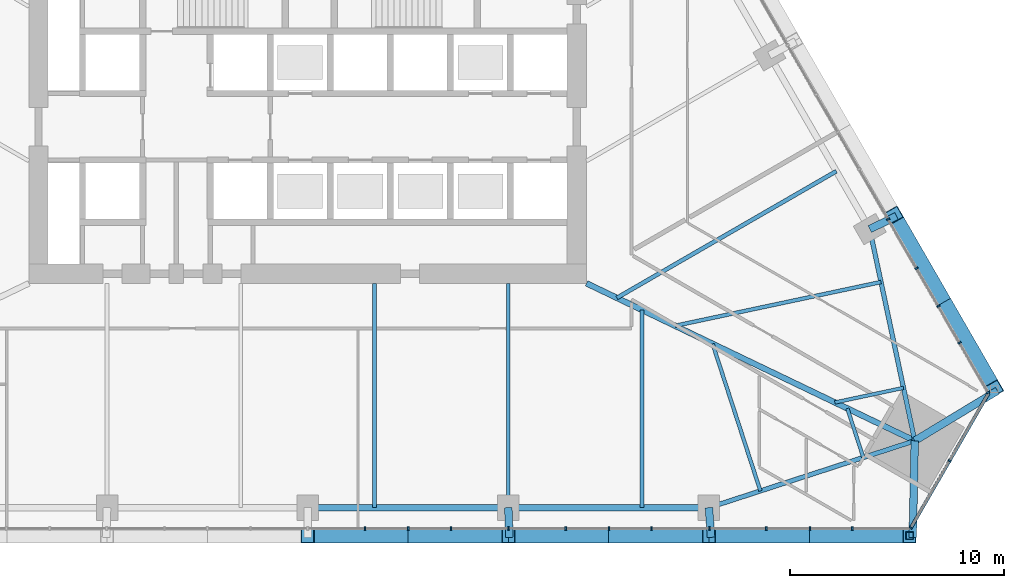
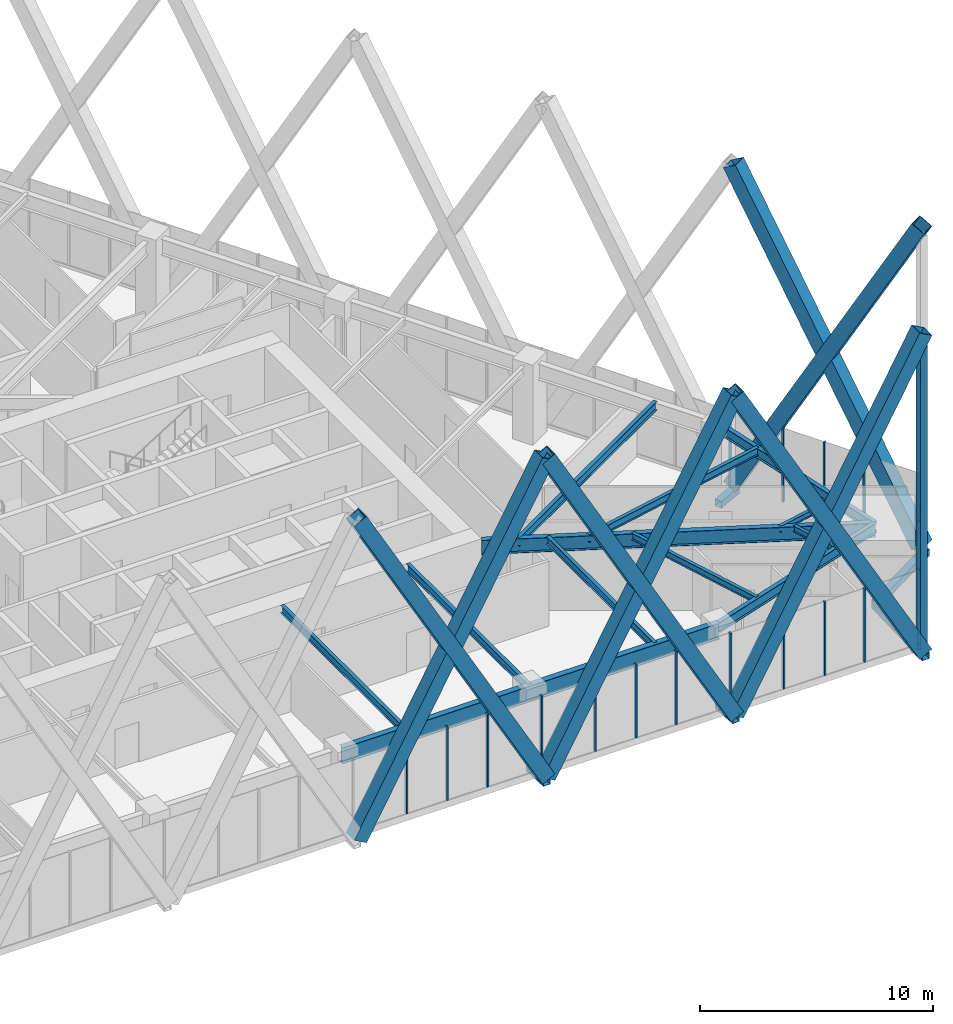
# One storey, part 7 of 21: 33 members, 12 beams, 3 elements without a shape of their own.
"""IFC4 building model written with IfcOpenShell, lengths in metres."""

from ifc_helpers import new_model, si_unit, direction, frame, origin, origin_2d, place, context, subcontext, project, spatial, rectangle, hollow_rectangle, i_section, extrude, material, layer, layer_set, material_profile, profile_set, type_object, element, aggregate, save


model = new_model("IFC4")

# Units and contexts
model_context = context("Model", 3, precision=1e-05, world=origin(), true_north=direction((0.0, 1.0)))
body_context = subcontext(model_context, "Body", "Model", "MODEL_VIEW")
ifc_project = project(units=[si_unit("LENGTHUNIT", "METRE"), si_unit("AREAUNIT", "SQUARE_METRE"), si_unit("VOLUMEUNIT", "CUBIC_METRE"), si_unit("PLANEANGLEUNIT", "RADIAN"), si_unit("MASSUNIT", "GRAM", prefix="KILO")], contexts=[model_context])

# Site, building, storey
site_placement = place(None, origin())
site = spatial("IfcSite", under=ifc_project, at=site_placement, CompositionType="ELEMENT")
building_placement = place(site_placement, origin())
building = spatial("IfcBuilding", under=site, at=building_placement, Name="Firuza Gate Tower and Library", CompositionType="ELEMENT")
storey_placement = place(building_placement, frame((0.0, 0.0, 107.199951171875)))
storey = spatial("IfcBuildingStorey", under=building, at=storey_placement, Name="L24", CompositionType="ELEMENT", Elevation=107.199951171875)

# Members
ifc_material_1 = material(Name="Steel S355", Category="steel")
ifc_material_profile_1 = material_profile(ifc_material_1, hollow_rectangle(XDim=0.699951171875, YDim=0.699951171875, WallThickness=0.030029296875, at=origin_2d()))
ifc_profile_set_1 = profile_set([ifc_material_profile_1], Name="Steel S355")
member_type_1 = type_object("IfcMemberType", Name="BU700x700x30 Lattice brace", PredefinedType="BRACE", material=ifc_profile_set_1)
for number, where, z_axis, x_axis, name in (
    (1, (75.0, 54.2412109375, 0.0), (0.486472786764, 0.0, 0.873695729495), (0.0, 1.0, 0.0), "Lattice brace S 5.4R"),
    (2, (84.354248046875, 54.2412109375, 0.0), (-0.486472786764, 0.0, 0.873695729495), (0.0, -1.0, 0.0), "Lattice brace S 5.4L"),
    (3, (84.354248046875, 54.2412109375, 0.0), (0.486472786764, 0.0, 0.873695729495), (0.0, 1.0, 0.0), "Lattice brace S 5.5R"),
    (4, (93.70849609375, 54.2412109375, 0.0), (-0.486472786764, 0.0, 0.873695729495), (0.0, -1.0, 0.0), "Lattice brace S 5.5L"),
    (5, (93.70849609375, 54.2412109375, 0.0), (0.486472786764, 0.0, 0.873695729495), (0.0, 1.0, 0.0), "Lattice brace S 5.6R"),
    (6, (103.062744140625, 54.2412109375, 0.0), (-0.486472786764, 0.0, 0.873695729495), (0.0, -1.0, 0.0), "Lattice brace S 5.6L"),
    (7, (107.009033203125, 61.076416015625, 0.0), (-0.243230112725, 0.421300913528, 0.873695972593), (-0.866032598532, -0.499987538125, 0.0), "Lattice brace E 5.1R"),
    (8, (102.33203125, 69.177490234375, 0.0), (0.243230112725, -0.421300913528, 0.873695972593), (0.866032598532, 0.499987538125, 0.0), "Lattice brace E 5.1L"),
):
    element("IfcMember", number, at=place(storey_placement, frame(where, z_axis=z_axis, x_axis=x_axis)), inside=storey, type_object=member_type_1, Name=name, PredefinedType="BRACE", context=body_context, shape_type="SweptSolid", body=[
        extrude(hollow_rectangle(XDim=0.699951171875, YDim=0.699951171875, WallThickness=0.030029296875, at=origin_2d()), origin(), (0.0, 0.0, 1.0), 19.228759765625),
    ])

# Curtain wall, members
ifc_material_2 = material(Name="Aluminium 6063-T6", Category="aluminium")
ifc_layer_1 = layer(ifc_material_2, 0.14990234375)
ifc_layer_set_1 = layer_set([ifc_layer_1], Name="Unitised curtain wall, offices")
curtain_wall_type_1 = type_object("IfcCurtainWallType", Name="Unitised curtain wall, offices", PredefinedType="NOTDEFINED", material=ifc_layer_set_1)
placement = place(storey_placement, origin())
curtain_wall_1 = element("IfcCurtainWall", 9, at=placement, inside=storey, type_object=curtain_wall_type_1, Name="CW1 L24 S face", PredefinedType="NOTDEFINED")
ifc_material_3 = material(Name="Aluminium 6063-T6", Category="aluminium")
ifc_material_profile_2 = material_profile(ifc_material_3, rectangle(XDim=0.14990234375, YDim=0.080078125, at=origin_2d()))
ifc_profile_set_2 = profile_set([ifc_material_profile_2], Name="Aluminium 6063-T6")
member_type_2 = type_object("IfcMemberType", Name="Curtain wall mullion 80x150", PredefinedType="MULLION", material=ifc_profile_set_2)
member_1_placement = place(storey_placement, frame((79.684326171875, 54.566162109375, 0.150146484375), z_axis=(0.0, 0.0, 1.0), x_axis=(0.0, 1.0, 0.0)))
member_1 = element("IfcMember", 10, at=member_1_placement, type_object=member_type_2, Name="Mullion", PredefinedType="MULLION", context=body_context, shape_type="SweptSolid", body=[
    extrude(rectangle(XDim=0.14990234375, YDim=0.080078125, at=origin_2d()), origin(), (0.0, 0.0, 1.0), 3.849853515625),
])
member_2_placement = place(storey_placement, frame((84.36865234375, 54.566162109375, 0.150146484375), z_axis=(0.0, 0.0, 1.0), x_axis=(0.0, 1.0, 0.0)))
member_2 = element("IfcMember", 11, at=member_2_placement, type_object=member_type_2, Name="Mullion", PredefinedType="MULLION", context=body_context, shape_type="SweptSolid", body=[
    extrude(rectangle(XDim=0.14990234375, YDim=0.080078125, at=origin_2d()), origin(), (0.0, 0.0, 1.0), 3.849853515625),
])
member_3_placement = place(storey_placement, frame((89.052978515625, 54.566162109375, 0.150146484375), z_axis=(0.0, 0.0, 1.0), x_axis=(0.0, 1.0, 0.0)))
member_3 = element("IfcMember", 12, at=member_3_placement, type_object=member_type_2, Name="Mullion", PredefinedType="MULLION", context=body_context, shape_type="SweptSolid", body=[
    extrude(rectangle(XDim=0.14990234375, YDim=0.080078125, at=origin_2d()), origin(), (0.0, 0.0, 1.0), 3.849853515625),
])
member_4_placement = place(storey_placement, frame((93.7373046875, 54.566162109375, 0.150146484375), z_axis=(0.0, 0.0, 1.0), x_axis=(0.0, 1.0, 0.0)))
member_4 = element("IfcMember", 13, at=member_4_placement, type_object=member_type_2, Name="Mullion", PredefinedType="MULLION", context=body_context, shape_type="SweptSolid", body=[
    extrude(rectangle(XDim=0.14990234375, YDim=0.080078125, at=origin_2d()), origin(), (0.0, 0.0, 1.0), 3.849853515625),
])
member_5_placement = place(storey_placement, frame((98.421630859375, 54.566162109375, 0.150146484375), z_axis=(0.0, 0.0, 1.0), x_axis=(0.0, 1.0, 0.0)))
member_5 = element("IfcMember", 14, at=member_5_placement, type_object=member_type_2, Name="Mullion", PredefinedType="MULLION", context=body_context, shape_type="SweptSolid", body=[
    extrude(rectangle(XDim=0.14990234375, YDim=0.080078125, at=origin_2d()), origin(), (0.0, 0.0, 1.0), 3.849853515625),
])
member_6_placement = place(storey_placement, frame((77.6728515625, 54.566162109375, 0.150146484375), z_axis=(0.0, 0.0, 1.0), x_axis=(0.0, 1.0, 0.0)))
member_6 = element("IfcMember", 15, at=member_6_placement, type_object=member_type_2, Name="Mullion", PredefinedType="MULLION", context=body_context, shape_type="SweptSolid", body=[
    extrude(rectangle(XDim=0.14990234375, YDim=0.080078125, at=origin_2d()), origin(), (0.0, 0.0, 1.0), 3.849853515625),
])
member_7_placement = place(storey_placement, frame((81.681396484375, 54.566162109375, 0.150146484375), z_axis=(0.0, 0.0, 1.0), x_axis=(0.0, 1.0, 0.0)))
member_7 = element("IfcMember", 16, at=member_7_placement, type_object=member_type_2, Name="Mullion", PredefinedType="MULLION", context=body_context, shape_type="SweptSolid", body=[
    extrude(rectangle(XDim=0.14990234375, YDim=0.080078125, at=origin_2d()), origin(), (0.0, 0.0, 1.0), 3.849853515625),
])
member_8_placement = place(storey_placement, frame((87.027099609375, 54.566162109375, 0.150146484375), z_axis=(0.0, 0.0, 1.0), x_axis=(0.0, 1.0, 0.0)))
member_8 = element("IfcMember", 17, at=member_8_placement, type_object=member_type_2, Name="Mullion", PredefinedType="MULLION", context=body_context, shape_type="SweptSolid", body=[
    extrude(rectangle(XDim=0.14990234375, YDim=0.080078125, at=origin_2d()), origin(), (0.0, 0.0, 1.0), 3.849853515625),
])
member_9_placement = place(storey_placement, frame((91.03564453125, 54.566162109375, 0.150146484375), z_axis=(0.0, 0.0, 1.0), x_axis=(0.0, 1.0, 0.0)))
member_9 = element("IfcMember", 18, at=member_9_placement, type_object=member_type_2, Name="Mullion", PredefinedType="MULLION", context=body_context, shape_type="SweptSolid", body=[
    extrude(rectangle(XDim=0.14990234375, YDim=0.080078125, at=origin_2d()), origin(), (0.0, 0.0, 1.0), 3.849853515625),
])
member_10_placement = place(storey_placement, frame((96.381103515625, 54.566162109375, 0.150146484375), z_axis=(0.0, 0.0, 1.0), x_axis=(0.0, 1.0, 0.0)))
member_10 = element("IfcMember", 19, at=member_10_placement, type_object=member_type_2, Name="Mullion", PredefinedType="MULLION", context=body_context, shape_type="SweptSolid", body=[
    extrude(rectangle(XDim=0.14990234375, YDim=0.080078125, at=origin_2d()), origin(), (0.0, 0.0, 1.0), 3.849853515625),
])
member_11_placement = place(storey_placement, frame((100.389892578125, 54.566162109375, 0.150146484375), z_axis=(0.0, 0.0, 1.0), x_axis=(0.0, 1.0, 0.0)))
member_11 = element("IfcMember", 20, at=member_11_placement, type_object=member_type_2, Name="Mullion", PredefinedType="MULLION", context=body_context, shape_type="SweptSolid", body=[
    extrude(rectangle(XDim=0.14990234375, YDim=0.080078125, at=origin_2d()), origin(), (0.0, 0.0, 1.0), 3.849853515625),
])
aggregate(curtain_wall_1, [member_1, member_2, member_3, member_4, member_5, member_6, member_7, member_8, member_9, member_10, member_11])

ifc_material_4 = material(Name="Aluminium 6063-T6", Category="aluminium")
ifc_layer_2 = layer(ifc_material_4, 0.14990234375)
ifc_layer_set_2 = layer_set([ifc_layer_2], Name="Corner curtain wall, chamfers")
curtain_wall_type_2 = type_object("IfcCurtainWallType", Name="Corner curtain wall, chamfers", PredefinedType="NOTDEFINED", material=ifc_layer_set_2)
curtain_wall_2 = element("IfcCurtainWall", 21, at=placement, inside=storey, type_object=curtain_wall_type_2, Name="CW4 L24 SE corner", PredefinedType="NOTDEFINED")
member_12_placement = place(storey_placement, frame((103.1259765625, 54.600830078125, 0.150146484375), z_axis=(0.0, 0.0, 1.0), x_axis=(-0.866025403784, 0.5, 0.0)))
member_12 = element("IfcMember", 22, at=member_12_placement, type_object=member_type_2, Name="Mullion", PredefinedType="MULLION", context=body_context, shape_type="SweptSolid", body=[
    extrude(rectangle(XDim=0.14990234375, YDim=0.080078125, at=origin_2d()), origin(), (0.0, 0.0, 1.0), 3.849853515625),
])
member_13_placement = place(storey_placement, frame((104.927490234375, 57.72119140625, 0.150146484375), z_axis=(0.0, 0.0, 1.0), x_axis=(-0.866025403784, 0.5, 0.0)))
member_13 = element("IfcMember", 23, at=member_13_placement, type_object=member_type_2, Name="Mullion", PredefinedType="MULLION", context=body_context, shape_type="SweptSolid", body=[
    extrude(rectangle(XDim=0.14990234375, YDim=0.080078125, at=origin_2d()), origin(), (0.0, 0.0, 1.0), 3.849853515625),
])

curtain_wall_3 = element("IfcCurtainWall", 24, at=placement, inside=storey, type_object=curtain_wall_type_1, Name="CW1 L24 E face", PredefinedType="NOTDEFINED")
member_14_placement = place(storey_placement, frame((106.729248046875, 60.9111328125, 0.150146484375), z_axis=(0.0, 0.0, 1.0), x_axis=(-0.866025403784, -0.5, 0.0)))
member_14 = element("IfcMember", 25, at=member_14_placement, type_object=member_type_2, Name="Mullion", PredefinedType="MULLION", context=body_context, shape_type="SweptSolid", body=[
    extrude(rectangle(XDim=0.14990234375, YDim=0.080078125, at=origin_2d()), origin(), (0.0, 0.0, 1.0), 3.849853515625),
])
member_15_placement = place(storey_placement, frame((104.406982421875, 64.933349609375, 0.150146484375), z_axis=(0.0, 0.0, 1.0), x_axis=(-0.866025403784, -0.5, 0.0)))
member_15 = element("IfcMember", 26, at=member_15_placement, type_object=member_type_2, Name="Mullion", PredefinedType="MULLION", context=body_context, shape_type="SweptSolid", body=[
    extrude(rectangle(XDim=0.14990234375, YDim=0.080078125, at=origin_2d()), origin(), (0.0, 0.0, 1.0), 3.849853515625),
])
member_16_placement = place(storey_placement, frame((102.06494140625, 68.989990234375, 0.150146484375), z_axis=(0.0, 0.0, 1.0), x_axis=(-0.866025403784, -0.5, 0.0)))
member_16 = element("IfcMember", 27, at=member_16_placement, type_object=member_type_2, Name="Mullion", PredefinedType="MULLION", context=body_context, shape_type="SweptSolid", body=[
    extrude(rectangle(XDim=0.14990234375, YDim=0.080078125, at=origin_2d()), origin(), (0.0, 0.0, 1.0), 3.849853515625),
])
member_17_placement = place(storey_placement, frame((105.39111328125, 63.228759765625, 0.150146484375), z_axis=(0.0, 0.0, 1.0), x_axis=(-0.866025403784, -0.5, 0.0)))
member_17 = element("IfcMember", 28, at=member_17_placement, type_object=member_type_2, Name="Mullion", PredefinedType="MULLION", context=body_context, shape_type="SweptSolid", body=[
    extrude(rectangle(XDim=0.14990234375, YDim=0.080078125, at=origin_2d()), origin(), (0.0, 0.0, 1.0), 3.849853515625),
])
member_18_placement = place(storey_placement, frame((103.386962890625, 66.7001953125, 0.150146484375), z_axis=(0.0, 0.0, 1.0), x_axis=(-0.866025403784, -0.5, 0.0)))
member_18 = element("IfcMember", 29, at=member_18_placement, type_object=member_type_2, Name="Mullion", PredefinedType="MULLION", context=body_context, shape_type="SweptSolid", body=[
    extrude(rectangle(XDim=0.14990234375, YDim=0.080078125, at=origin_2d()), origin(), (0.0, 0.0, 1.0), 3.849853515625),
])
aggregate(curtain_wall_3, [member_14, member_15, member_16, member_17, member_18])

# Member
ifc_material_5 = material(Name="Aluminium 6063-T6", Category="aluminium")
ifc_material_profile_3 = material_profile(ifc_material_5, rectangle(XDim=0.14990234375, YDim=0.35009765625, at=origin_2d()))
ifc_profile_set_3 = profile_set([ifc_material_profile_3], Name="Aluminium 6063-T6")
member_type_3 = type_object("IfcMemberType", Name="Curtain wall transom 350x150", PredefinedType="USERDEFINED", material=ifc_profile_set_3)
member_19_placement = place(storey_placement, frame((103.10595703125, 54.566162109375, -0.02490234375), z_axis=(0.500005719219, 0.866022101766, 0.0), x_axis=(-0.866022101766, 0.500005719219, 0.0)))
member_19 = element("IfcMember", 30, at=member_19_placement, type_object=member_type_3, Name="Transom", ObjectType="TRANSOM", PredefinedType="USERDEFINED", context=body_context, shape_type="SweptSolid", body=[
    extrude(rectangle(XDim=0.14990234375, YDim=0.35009765625, at=origin_2d()), origin(), (0.0, 0.0, 1.0), 7.28662109375),
])

aggregate(curtain_wall_2, [member_12, member_13, member_19])

# Members
ifc_material_6 = material(Name="Steel S355", Category="steel")
ifc_material_profile_4 = material_profile(ifc_material_6, hollow_rectangle(XDim=0.355712890625, YDim=0.355712890625, WallThickness=0.014892578125, at=origin_2d()))
ifc_profile_set_4 = profile_set([ifc_material_profile_4], Name="Steel S355")
member_type_4 = type_object("IfcMemberType", Name="HSS356x356x16 Lattice corner stile", PredefinedType="BRACE", material=ifc_profile_set_4)
member_20_placement = place(storey_placement, frame((103.062744140625, 54.2412109375, -0.139892578125), z_axis=(0.0, 0.0, 1.0), x_axis=(1.0, 0.0, 0.0)))
element("IfcMember", 31, at=member_20_placement, inside=storey, type_object=member_type_4, Name="Lattice corner stile S 5.B", PredefinedType="BRACE", context=body_context, shape_type="SweptSolid", body=[
    extrude(hollow_rectangle(XDim=0.355712890625, YDim=0.355712890625, WallThickness=0.014892578125, at=origin_2d()), origin(), (0.0, 0.0, 1.0), 16.43994140625),
])
ifc_material_7 = material(Name="Steel S355", Category="steel")
ifc_material_profile_5 = material_profile(ifc_material_7, hollow_rectangle(XDim=0.355712890625, YDim=0.355712890625, WallThickness=0.014892578125, at=origin_2d()))
ifc_profile_set_5 = profile_set([ifc_material_profile_5], Name="Steel S355")
member_type_5 = type_object("IfcMemberType", Name="HSS356x356x16 Lattice node tie", PredefinedType="BRACE", material=ifc_profile_set_5)
member_21_placement = place(storey_placement, frame((101.2060546875, 68.527587890625, -0.320068359375), z_axis=(0.899261255938, 0.437411926642, 0.0), x_axis=(-0.437411926642, 0.899261255938, 0.0)))
element("IfcMember", 32, at=member_21_placement, inside=storey, type_object=member_type_5, Name="Lattice node tie E L24 90", PredefinedType="BRACE", context=body_context, shape_type="SweptSolid", body=[
    extrude(hollow_rectangle(XDim=0.355712890625, YDim=0.355712890625, WallThickness=0.014892578125, at=origin_2d()), origin(), (0.0, 0.0, 1.0), 1.388671875),
])
member_22_placement = place(storey_placement, frame((103.3037109375, 58.65869140625, -0.320068359375), z_axis=(0.855419817964, 0.517935261431, 0.0), x_axis=(-0.517935261431, 0.855419817964, 0.0)))
element("IfcMember", 33, at=member_22_placement, inside=storey, type_object=member_type_5, Name="Lattice node tie E L24 91", PredefinedType="BRACE", context=body_context, shape_type="SweptSolid", body=[
    extrude(hollow_rectangle(XDim=0.355712890625, YDim=0.355712890625, WallThickness=0.014892578125, at=origin_2d()), origin(), (0.0, 0.0, 1.0), 4.50390625),
])
member_23_placement = place(storey_placement, frame((84.354248046875, 55.541015625, -0.320068359375), z_axis=(0.035408770577, -0.999372912864, 0.0), x_axis=(0.999372912864, 0.035408770577, 0.0)))
element("IfcMember", 34, at=member_23_placement, inside=storey, type_object=member_type_5, Name="Lattice node tie S L24 96", PredefinedType="BRACE", context=body_context, shape_type="SweptSolid", body=[
    extrude(hollow_rectangle(XDim=0.355712890625, YDim=0.355712890625, WallThickness=0.014892578125, at=origin_2d()), origin(), (0.0, 0.0, 1.0), 1.385986328125),
])
member_24_placement = place(storey_placement, frame((93.70849609375, 55.541015625, -0.320068359375), z_axis=(0.070684731161, -0.997498706155, 0.0), x_axis=(0.997498706155, 0.070684731161, 0.0)))
element("IfcMember", 35, at=member_24_placement, inside=storey, type_object=member_type_5, Name="Lattice node tie S L24 97", PredefinedType="BRACE", context=body_context, shape_type="SweptSolid", body=[
    extrude(hollow_rectangle(XDim=0.355712890625, YDim=0.355712890625, WallThickness=0.014892578125, at=origin_2d()), origin(), (0.0, 0.0, 1.0), 1.388427734375),
])
member_25_placement = place(storey_placement, frame((103.3037109375, 58.65869140625, -0.320068359375), z_axis=(-0.020762210124, -0.999784442083, 0.0), x_axis=(0.999784442083, -0.020762210124, 0.0)))
element("IfcMember", 36, at=member_25_placement, inside=storey, type_object=member_type_5, Name="Lattice node tie S L24 98", PredefinedType="BRACE", context=body_context, shape_type="SweptSolid", body=[
    extrude(hollow_rectangle(XDim=0.355712890625, YDim=0.355712890625, WallThickness=0.014892578125, at=origin_2d()), origin(), (0.0, 0.0, 1.0), 4.503662109375),
])

# Beams
ifc_material_8 = material(Name="Steel S355", Category="steel")
ifc_material_profile_6 = material_profile(ifc_material_8, i_section(OverallWidth=0.1650390625, OverallDepth=0.31005859375, WebThickness=0.005859375, FlangeThickness=0.009765625, at=origin_2d()))
ifc_profile_set_6 = profile_set([ifc_material_profile_6], Name="Steel S355")
beam_type_1 = type_object("IfcBeamType", Name="W310x39 Floor beam", PredefinedType="JOIST", material=ifc_profile_set_6)
beam_1_placement = place(storey_placement, frame((100.905029296875, 57.87939453125, 3.844970703125), z_axis=(-0.308998819995, 0.951062421317, 0.0), x_axis=(-0.951062421317, -0.308998819995, 0.0)))
element("IfcBeam", 37, at=beam_1_placement, inside=storey, type_object=beam_type_1, Name="Floor beam L24 s31", PredefinedType="JOIST", context=body_context, shape_type="SweptSolid", body=[
    extrude(i_section(OverallWidth=0.1650390625, OverallDepth=0.31005859375, WebThickness=0.005859375, FlangeThickness=0.009765625, at=origin_2d()), origin(), (0.0, 0.0, 1.0), 2.404296875),
])
beam_2_placement = place(storey_placement, frame((102.779296875, 61.1259765625, 3.844970703125), z_axis=(-0.97813855531, -0.207954241639, 0.0), x_axis=(0.207954241639, -0.97813855531, 0.0)))
element("IfcBeam", 38, at=beam_2_placement, inside=storey, type_object=beam_type_1, Name="Floor beam L24 s40", PredefinedType="JOIST", context=body_context, shape_type="SweptSolid", body=[
    extrude(i_section(OverallWidth=0.1650390625, OverallDepth=0.31005859375, WebThickness=0.005859375, FlangeThickness=0.009765625, at=origin_2d()), origin(), (0.0, 0.0, 1.0), 3.27197265625),
])
ifc_material_9 = material(Name="Steel S355", Category="steel")
ifc_material_profile_7 = material_profile(ifc_material_9, i_section(OverallWidth=0.1708984375, OverallDepth=0.35498046875, WebThickness=0.007080078125, FlangeThickness=0.01171875, at=origin_2d()))
ifc_profile_set_7 = profile_set([ifc_material_profile_7], Name="Steel S355")
beam_type_2 = type_object("IfcBeamType", Name="W360x51 Floor beam", PredefinedType="JOIST", material=ifc_profile_set_7)
beam_3_placement = place(storey_placement, frame((96.107177734375, 56.320556640625, 3.822509765625), z_axis=(-0.309008767466, 0.951059189341, 0.0), x_axis=(-0.951059189341, -0.309008767466, 0.0)))
element("IfcBeam", 39, at=beam_3_placement, inside=storey, type_object=beam_type_2, Name="Floor beam L24 s30", PredefinedType="JOIST", context=body_context, shape_type="SweptSolid", body=[
    extrude(i_section(OverallWidth=0.1708984375, OverallDepth=0.35498046875, WebThickness=0.007080078125, FlangeThickness=0.01171875, at=origin_2d()), origin(), (0.0, 0.0, 1.0), 7.212646484375),
])
ifc_material_10 = material(Name="Steel S355", Category="steel")
ifc_material_profile_8 = material_profile(ifc_material_10, i_section(OverallWidth=0.177978515625, OverallDepth=0.406982421875, WebThickness=0.0078125, FlangeThickness=0.0126953125, at=origin_2d()))
ifc_profile_set_8 = profile_set([ifc_material_profile_8], Name="Steel S355")
beam_type_3 = type_object("IfcBeamType", Name="W410x60 Floor beam", PredefinedType="JOIST", material=ifc_profile_set_8)
for number, where, z_axis, x_axis, name in (
    (40, (78.1181640625, 55.541015625, 3.796630859375), (0.0, 1.0, 0.0), (-1.0, 0.0, 0.0), "Floor beam L24 s23"),
    (41, (84.354248046875, 55.541015625, 3.796630859375), (0.0, 1.0, 0.0), (-1.0, 0.0, 0.0), "Floor beam L24 s24"),
):
    element("IfcBeam", number, at=place(storey_placement, frame(where, z_axis=z_axis, x_axis=x_axis)), inside=storey, type_object=beam_type_3, Name=name, PredefinedType="JOIST", context=body_context, shape_type="SweptSolid", body=[
        extrude(i_section(OverallWidth=0.177978515625, OverallDepth=0.406982421875, WebThickness=0.0078125, FlangeThickness=0.0126953125, at=origin_2d()), origin(), (0.0, 0.0, 1.0), 10.458984375),
    ])
beam_4_placement = place(storey_placement, frame((90.59033203125, 55.541015625, 3.796630859375), z_axis=(0.0, 1.0, 0.0), x_axis=(-1.0, 0.0, 0.0)))
element("IfcBeam", 42, at=beam_4_placement, inside=storey, type_object=beam_type_3, Name="Floor beam L24 s25", PredefinedType="JOIST", context=body_context, shape_type="SweptSolid", body=[
    extrude(i_section(OverallWidth=0.177978515625, OverallDepth=0.406982421875, WebThickness=0.0078125, FlangeThickness=0.0126953125, at=origin_2d()), origin(), (0.0, 0.0, 1.0), 9.21630859375),
])
beam_5_placement = place(storey_placement, frame((101.73046875, 66.060302734375, 3.796630859375), z_axis=(-0.978144689505, -0.207925386601, 0.0), x_axis=(0.207925386601, -0.978144689505, 0.0)))
element("IfcBeam", 43, at=beam_5_placement, inside=storey, type_object=beam_type_3, Name="Floor beam L24 s41", PredefinedType="JOIST", context=body_context, shape_type="SweptSolid", body=[
    extrude(i_section(OverallWidth=0.177978515625, OverallDepth=0.406982421875, WebThickness=0.0078125, FlangeThickness=0.0126953125, at=origin_2d()), origin(), (0.0, 0.0, 1.0), 9.816162109375),
])
ifc_material_11 = material(Name="Steel S355", Category="steel")
ifc_material_profile_9 = material_profile(ifc_material_11, i_section(OverallWidth=0.18994140625, OverallDepth=0.45703125, WebThickness=0.009033203125, FlangeThickness=0.014404296875, at=origin_2d()))
ifc_profile_set_9 = profile_set([ifc_material_profile_9], Name="Steel S355")
beam_type_4 = type_object("IfcBeamType", Name="W460x74 Floor beam", PredefinedType="JOIST", material=ifc_profile_set_9)
beam_6_placement = place(storey_placement, frame((99.64697265625, 71.227783203125, 3.771484375), z_axis=(-0.866025562448, -0.499999725187, 0.0), x_axis=(0.499999725187, -0.866025562448, 0.0)))
element("IfcBeam", 44, at=beam_6_placement, inside=storey, type_object=beam_type_4, Name="Floor beam L24 s50", PredefinedType="JOIST", context=body_context, shape_type="SweptSolid", body=[
    extrude(i_section(OverallWidth=0.18994140625, OverallDepth=0.45703125, WebThickness=0.009033203125, FlangeThickness=0.014404296875, at=origin_2d()), origin(), (0.0, 0.0, 1.0), 11.81396484375),
])
ifc_material_12 = material(Name="Steel S355", Category="steel")
ifc_material_profile_10 = material_profile(ifc_material_12, i_section(OverallWidth=0.212890625, OverallDepth=0.5390625, WebThickness=0.01171875, FlangeThickness=0.018798828125, at=origin_2d()))
ifc_profile_set_10 = profile_set([ifc_material_profile_10], Name="Steel S355")
beam_type_5 = type_object("IfcBeamType", Name="W530x109 Edge beam", PredefinedType="SPANDREL", material=ifc_profile_set_10)
beam_7_placement = place(storey_placement, frame((93.70849609375, 55.541015625, 3.73046875), z_axis=(0.951056472923, 0.309017127862, 0.0), x_axis=(-0.309017127862, 0.951056472923, 0.0)))
element("IfcBeam", 45, at=beam_7_placement, inside=storey, type_object=beam_type_5, Name="Edge beam L24 e30", PredefinedType="SPANDREL", context=body_context, shape_type="SweptSolid", body=[
    extrude(i_section(OverallWidth=0.212890625, OverallDepth=0.5390625, WebThickness=0.01171875, FlangeThickness=0.018798828125, at=origin_2d()), origin(), (0.0, 0.0, 1.0), 10.089111328125),
])
beam_8_placement = place(storey_placement, frame((103.3037109375, 58.65869140625, 3.73046875), z_axis=(-0.207907664892, 0.978148456462, 0.0), x_axis=(-0.978148456462, -0.207907664892, 0.0)))
element("IfcBeam", 46, at=beam_8_placement, inside=storey, type_object=beam_type_5, Name="Edge beam L24 e40", PredefinedType="SPANDREL", context=body_context, shape_type="SweptSolid", body=[
    extrude(i_section(OverallWidth=0.212890625, OverallDepth=0.5390625, WebThickness=0.01171875, FlangeThickness=0.018798828125, at=origin_2d()), origin(), (0.0, 0.0, 1.0), 10.08935546875),
])
ifc_material_13 = material(Name="Steel S355", Category="steel")
ifc_material_profile_11 = material_profile(ifc_material_13, i_section(OverallWidth=0.264892578125, OverallDepth=0.7529296875, WebThickness=0.01318359375, FlangeThickness=0.01708984375, at=origin_2d()))
ifc_profile_set_11 = profile_set([ifc_material_profile_11], Name="Steel S355")
beam_type_6 = type_object("IfcBeamType", Name="W760x147 Girder", PredefinedType="BEAM", material=ifc_profile_set_11)
beam_9_placement = place(storey_placement, frame((103.3037109375, 58.65869140625, 3.62353515625), z_axis=(-0.901625831299, 0.43251689023, 0.0), x_axis=(-0.43251689023, -0.901625831299, 0.0)))
element("IfcBeam", 47, at=beam_9_placement, inside=storey, type_object=beam_type_6, Name="Girder L24 gSE", PredefinedType="BEAM", context=body_context, shape_type="SweptSolid", body=[
    extrude(i_section(OverallWidth=0.264892578125, OverallDepth=0.7529296875, WebThickness=0.01318359375, FlangeThickness=0.01708984375, at=origin_2d()), origin(), (0.0, 0.0, 1.0), 16.973388671875),
])
ifc_material_14 = material(Name="Steel S355", Category="steel")
ifc_material_profile_12 = material_profile(ifc_material_14, i_section(OverallWidth=0.2919921875, OverallDepth=0.8349609375, WebThickness=0.013916015625, FlangeThickness=0.018798828125, at=origin_2d()))
ifc_profile_set_12 = profile_set([ifc_material_profile_12], Name="Steel S355")
beam_type_7 = type_object("IfcBeamType", Name="W840x176 Edge beam", PredefinedType="SPANDREL", material=ifc_profile_set_12)
beam_10_placement = place(storey_placement, frame((75.0, 55.541015625, 3.58251953125), z_axis=(1.0, 0.0, 0.0), x_axis=(0.0, 1.0, 0.0)))
element("IfcBeam", 48, at=beam_10_placement, inside=storey, type_object=beam_type_7, Name="Edge beam L24 e22", PredefinedType="SPANDREL", context=body_context, shape_type="SweptSolid", body=[
    extrude(i_section(OverallWidth=0.2919921875, OverallDepth=0.8349609375, WebThickness=0.013916015625, FlangeThickness=0.018798828125, at=origin_2d()), origin(), (0.0, 0.0, 1.0), 18.70849609375),
])

save(model, "model.ifc")
